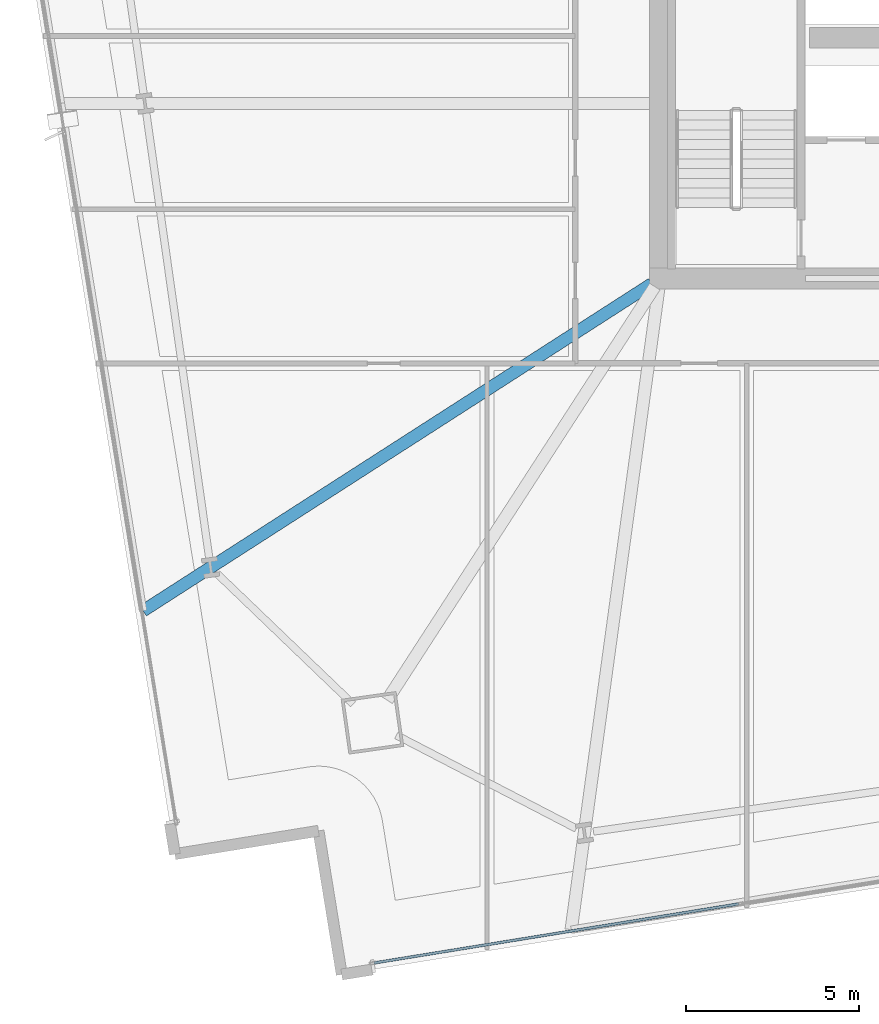
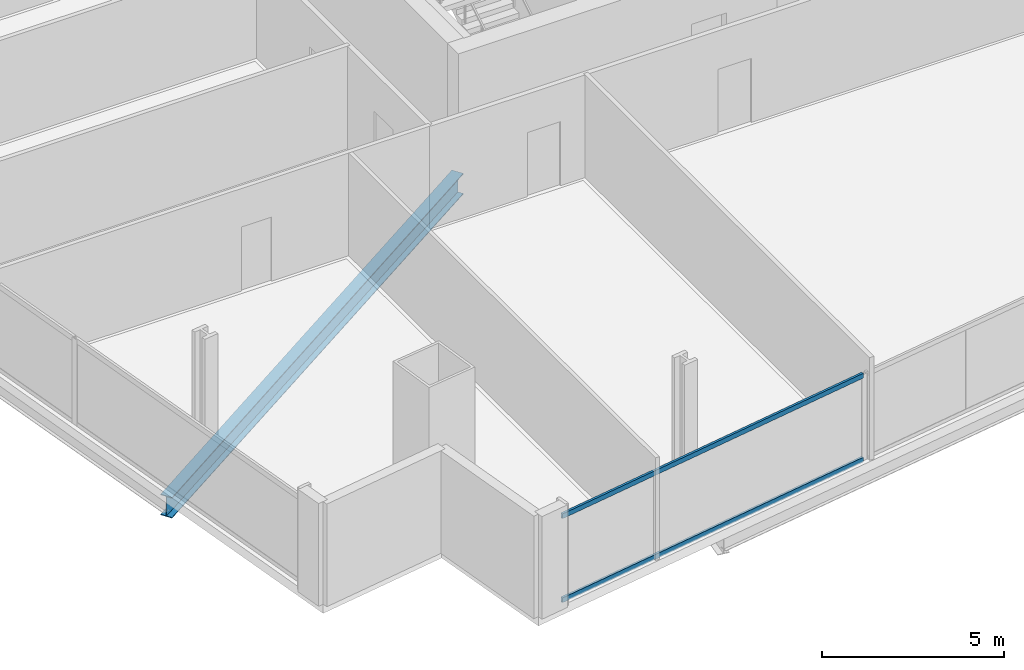
# One storey, part 4 of 33: 2 members, 1 beam, 1 element without a shape of its own.
"""IFC4 building model written with IfcOpenShell, lengths in metres."""

import ifcopenshell
import ifcopenshell.guid

model = None  # the IFC model being written
_history = None  # IfcOwnerHistory: only IFC2X3 demands one
_inside = {}  # id of a spatial element -> (the spatial element, [elements in it])
_under = {}  # id of a project, library or spatial element -> (it, [spatial elements below it])
_declared = {}  # id of a project -> (the project, [libraries it declares])
_typed = {}  # id of a type object -> (the type object, [elements of that type])
_made_of = {}  # id of a material, layer set ... -> (it, [elements and type objects made of it])


def new_model(schema):
    """Start an empty IFC model of exactly this schema.

    Asked for "IFC4X3", IfcOpenShell would pick the latest addendum, in which some entities
    have other attributes; the version numbers below select the first issue.
    IFC2X3 requires an IfcOwnerHistory on every rooted entity: one is made here for all.
    """
    global model, _history
    if schema == "IFC4X3":
        model = ifcopenshell.file(schema_version=(4, 3, 0, 0))
    else:
        model = ifcopenshell.file(schema=schema)
    _inside.clear()
    _under.clear()
    _declared.clear()
    _typed.clear()
    _made_of.clear()
    _history = None
    if model.schema == "IFC2X3":
        org = make("IfcOrganization", Name="unknown")
        user = make(
            "IfcPersonAndOrganization",
            ThePerson=make("IfcPerson", FamilyName="unknown"),
            TheOrganization=org,
        )
        app = make(
            "IfcApplication",
            ApplicationDeveloper=org,
            Version="unknown",
            ApplicationFullName="unknown",
            ApplicationIdentifier="unknown",
        )
        _history = make(
            "IfcOwnerHistory",
            OwningUser=user,
            OwningApplication=app,
            ChangeAction="ADDED",
            CreationDate=0,
        )
    return model


def make(cls, **values):
    """One entity of the class cls with the attributes given. An attribute that is None is left unset."""
    return model.create_entity(
        cls, **{name: value for name, value in values.items() if value is not None}
    )


def rooted(cls, **values):
    """An entity with a GlobalId (a new one), such as an element, a storey or a relation."""
    return make(cls, GlobalId=ifcopenshell.guid.new(), OwnerHistory=_history, **values)


def si_unit(unit_type, name, prefix=None):
    """IfcSIUnit, for example si_unit("LENGTHUNIT", "METRE", prefix="MILLI")."""
    return make("IfcSIUnit", UnitType=unit_type, Prefix=prefix, Name=name)


def assignment(units):
    """IfcUnitAssignment: the units of a project."""
    return None if units is None else make("IfcUnitAssignment", Units=units)


def point(xyz):
    """IfcCartesianPoint."""
    return None if xyz is None else make("IfcCartesianPoint", Coordinates=xyz)


def direction(xyz):
    """IfcDirection."""
    return None if xyz is None else make("IfcDirection", DirectionRatios=xyz)


def frame(location, z_axis=None, x_axis=None):
    """IfcAxis2Placement3D, a coordinate frame: its origin and axes. An axis left out is left unset."""
    return make(
        "IfcAxis2Placement3D",
        Location=point(location),
        Axis=direction(z_axis),
        RefDirection=direction(x_axis),
    )


def frame_2d(location, x_axis=None):
    """IfcAxis2Placement2D, a coordinate frame in the plane: its origin and x axis."""
    return make(
        "IfcAxis2Placement2D", Location=point(location), RefDirection=direction(x_axis)
    )


def origin():
    """The frame at (0, 0, 0) with its axes left unset."""
    return frame((0.0, 0.0, 0.0))


def origin_2d():
    """The frame at (0, 0) in the plane with its x axis left unset."""
    return frame_2d((0.0, 0.0))


def place(relative_to, where):
    """IfcLocalPlacement: puts the frame where relative to a parent placement (None: the world)."""
    return make(
        "IfcLocalPlacement", PlacementRelTo=relative_to, RelativePlacement=where
    )


def context(
    kind, dimensions, precision=None, world=None, true_north=None, identifier=None
):
    """IfcGeometricRepresentationContext, for example the 3D "Model" context."""
    return make(
        "IfcGeometricRepresentationContext",
        ContextIdentifier=identifier,
        ContextType=kind,
        CoordinateSpaceDimension=dimensions,
        Precision=precision,
        WorldCoordinateSystem=world,
        TrueNorth=true_north,
    )


def subcontext(parent, identifier, kind, view, scale=None):
    """IfcGeometricRepresentationSubContext, for example "Body" below "Model"."""
    return make(
        "IfcGeometricRepresentationSubContext",
        ContextIdentifier=identifier,
        ContextType=kind,
        ParentContext=parent,
        TargetScale=scale,
        TargetView=view,
    )


def project(units=None, contexts=None):
    """IfcProject with its units and contexts."""
    return rooted(
        "IfcProject",
        Name="project",
        RepresentationContexts=contexts,
        UnitsInContext=assignment(units),
    )


def spatial(cls, under=None, at=None, **own):
    """A site, building, storey or space (cls), placed at a placement, below another one or the project."""
    s = rooted(cls, ObjectPlacement=at, **own)
    if under is not None:
        _under.setdefault(under.id(), (under, []))[1].append(s)
    return s


def profile(cls, at=None, kind="AREA", **sizes):
    """A parametric profile (cls). Its sizes go by their IFC names, for example OverallWidth=200.0."""
    return make(cls, ProfileType=kind, Position=at, **sizes)


def hollow_rectangle(**sizes):
    """IfcRectangleHollowProfileDef."""
    return profile("IfcRectangleHollowProfileDef", **sizes)


def i_section(**sizes):
    """IfcIShapeProfileDef."""
    return profile("IfcIShapeProfileDef", **sizes)


def extrude(swept, where, along, depth):
    """IfcExtrudedAreaSolid: the profile swept, set in the frame where, extruded along a direction by depth."""
    return make(
        "IfcExtrudedAreaSolid",
        SweptArea=swept,
        Position=where,
        ExtrudedDirection=direction(along),
        Depth=depth,
    )


def shape(context_of_items, identifier, shape_type, items):
    """IfcShapeRepresentation: the items that make up one representation, for example the "Body"."""
    return make(
        "IfcShapeRepresentation",
        ContextOfItems=context_of_items,
        RepresentationIdentifier=identifier,
        RepresentationType=shape_type,
        Items=items,
    )


def material(Name=None, Category=None):
    """IfcMaterial."""
    return make("IfcMaterial", Name=Name, Category=Category)


def material_profile(
    of_material, cross_section, Name=None, Category=None, Priority=None
):
    """IfcMaterialProfile: a cross section and its material."""
    return make(
        "IfcMaterialProfile",
        Name=Name,
        Material=of_material,
        Profile=cross_section,
        Priority=Priority,
        Category=Category,
    )


def profile_set(profiles, Name=None, composite=None):
    """IfcMaterialProfileSet."""
    return make(
        "IfcMaterialProfileSet",
        Name=Name,
        MaterialProfiles=profiles,
        CompositeProfile=composite,
    )


def made_of(thing, what):
    """Note that an element or type object is made of a material, layer set ...; save() writes the relation."""
    if what is not None:
        _made_of.setdefault(what.id(), (what, []))[1].append(thing)
    return thing


def type_object(cls, material=None, **own):
    """A type object (cls), such as IfcWallType, which elements share."""
    return made_of(rooted(cls, **own), material)


def element(
    cls,
    number,
    at=None,
    inside=None,
    cuts=None,
    type_object=None,
    material=None,
    context=None,
    identifier="Body",
    shape_type=None,
    held_by="IfcProductDefinitionShape",
    body=None,
    shapes=None,
    **own,
):
    """One element of the class cls, such as IfcWall. Its Tag is "e" and its number.

    at: its placement. inside: the storey or other place that contains it. cuts: it is an
    opening in that element (IfcRelVoidsElement). A single representation is given by context,
    identifier, shape_type and body (its items); several are given by shapes. held_by: the class
    of the entity that holds the representations. save() writes the other relations.
    """
    e = rooted(cls, Tag="e%d" % number, ObjectPlacement=at, **own)
    if body is not None:
        shapes = [shape(context, identifier, shape_type, body)]
    if shapes is not None:
        e.Representation = make(held_by, Representations=shapes)
    if inside is not None:
        _inside.setdefault(inside.id(), (inside, []))[1].append(e)
    if cuts is not None:
        rooted(
            "IfcRelVoidsElement", RelatingBuildingElement=cuts, RelatedOpeningElement=e
        )
    if type_object is not None:
        _typed.setdefault(type_object.id(), (type_object, []))[1].append(e)
    return made_of(e, material)


def aggregate(whole, parts):
    """IfcRelAggregates: a whole, such as a stair, and the parts it consists of."""
    return rooted("IfcRelAggregates", RelatingObject=whole, RelatedObjects=parts)


def save(model, path):
    """Write the relations noted so far, then the file.

    IfcRelAggregates (storeys below a building ...), IfcRelContainedInSpatialStructure (elements
    in a storey), IfcRelDefinesByType, IfcRelAssociatesMaterial and IfcRelDeclares: one each for
    every whole, place, type object, material and project.
    """
    for whole, parts in _under.values():
        aggregate(whole, parts)
    for where, things in _inside.values():
        rooted(
            "IfcRelContainedInSpatialStructure",
            RelatedElements=things,
            RelatingStructure=where,
        )
    for kind, things in _typed.values():
        rooted("IfcRelDefinesByType", RelatedObjects=things, RelatingType=kind)
    for what, things in _made_of.values():
        rooted("IfcRelAssociatesMaterial", RelatedObjects=things, RelatingMaterial=what)
    for by, libraries in _declared.values():
        rooted("IfcRelDeclares", RelatingContext=by, RelatedDefinitions=libraries)
    model.write(path)


model = new_model("IFC4")

# Units and contexts
model_context = context("Model", 3, precision=1e-05, world=origin(), true_north=direction((0.0, 1.0)))
body_context = subcontext(model_context, "Body", "Model", "MODEL_VIEW")
ifc_project = project(units=[si_unit("LENGTHUNIT", "METRE"), si_unit("AREAUNIT", "SQUARE_METRE"), si_unit("VOLUMEUNIT", "CUBIC_METRE"), si_unit("PLANEANGLEUNIT", "RADIAN"), si_unit("MASSUNIT", "GRAM", prefix="KILO")], contexts=[model_context])

# Site, building, storey
site_placement = place(None, origin())
site = spatial("IfcSite", under=ifc_project, at=site_placement, CompositionType="ELEMENT")
building_placement = place(site_placement, origin())
building = spatial("IfcBuilding", under=site, at=building_placement, Name="Haldenkirk Collegiate Tower", CompositionType="ELEMENT")
storey_placement = place(building_placement, frame((0.0, 0.0, 58.949951171875)))
storey = spatial("IfcBuildingStorey", under=building, at=storey_placement, Name="L13", CompositionType="ELEMENT", Elevation=58.949951171875)

# Beam
ifc_material_1 = material(Name="Steel ASTM A992 Grade 50", Category="steel")
ifc_material_profile_1 = material_profile(ifc_material_1, i_section(OverallWidth=0.35498046875, OverallDepth=0.696044921875, WebThickness=0.015380859375, FlangeThickness=0.02490234375, at=origin_2d()), Name="W27X146")
ifc_profile_set_1 = profile_set([ifc_material_profile_1], Name="Steel ASTM A992 Grade 50")
beam_type = type_object("IfcBeamType", Name="BM-GIRDER-W27X146", PredefinedType="BEAM", material=ifc_profile_set_1)
beam_placement = place(storey_placement, frame((12.0751953125, 8.40576171875, -0.657958984375), z_axis=(0.841183472093, 0.540749818565, 0.0), x_axis=(-0.540749818565, 0.841183472093, 0.0)))
element("IfcBeam", 1, at=beam_placement, inside=storey, type_object=beam_type, Name="L13 primary floor girder 16", PredefinedType="BEAM", context=body_context, shape_type="SweptSolid", body=[
    extrude(i_section(OverallWidth=0.35498046875, OverallDepth=0.696044921875, WebThickness=0.015380859375, FlangeThickness=0.02490234375, at=origin_2d()), origin(), (0.0, 0.0, 1.0), 17.462646484375),
])

# Curtain wall, members
ifc_material_2 = material(Name="Anodised architectural bronze aluminium", Category="aluminium")
curtain_wall_type = type_object("IfcCurtainWallType", Name="CW-SYS2-CONCAVE", PredefinedType="USERDEFINED", material=ifc_material_2)
curtain_wall_placement = place(storey_placement, origin())
curtain_wall = element("IfcCurtainWall", 2, at=curtain_wall_placement, inside=storey, type_object=curtain_wall_type, Name="L13 South concave recessed bronze-anodised curtain wall", ObjectType="UNITISED CURTAIN WALL", PredefinedType="USERDEFINED")
ifc_material_profile_2 = material_profile(ifc_material_2, hollow_rectangle(XDim=0.074951171875, YDim=0.159912109375, WallThickness=0.0048828125, at=origin_2d()), Name="CW-TRN-02")
ifc_profile_set_2 = profile_set([ifc_material_profile_2], Name="Anodised architectural bronze aluminium")
member_type = type_object("IfcMemberType", Name="CW-TRN-02", PredefinedType="USERDEFINED", material=ifc_profile_set_2)
member_1_placement = place(storey_placement, frame((29.266845703125, -0.056640625, 0.03759765625), z_axis=(-0.98713489306, -0.159889658523, 0.0), x_axis=(0.159889658523, -0.98713489306, 0.0)))
member_1 = element("IfcMember", 3, at=member_1_placement, type_object=member_type, Name="CW-02 transom 4.1", ObjectType="TRANSOM", PredefinedType="USERDEFINED", context=body_context, shape_type="SweptSolid", body=[
    extrude(hollow_rectangle(XDim=0.074951171875, YDim=0.159912109375, WallThickness=0.0048828125, at=origin_2d()), origin(), (0.0, 0.0, 1.0), 10.66259765625),
])
member_2_placement = place(storey_placement, frame((29.266845703125, -0.056640625, 2.853515625), z_axis=(-0.98713489306, -0.159889658523, 0.0), x_axis=(0.159889658523, -0.98713489306, 0.0)))
member_2 = element("IfcMember", 4, at=member_2_placement, type_object=member_type, Name="CW-02 transom 4.2", ObjectType="TRANSOM", PredefinedType="USERDEFINED", context=body_context, shape_type="SweptSolid", body=[
    extrude(hollow_rectangle(XDim=0.074951171875, YDim=0.159912109375, WallThickness=0.0048828125, at=origin_2d()), origin(), (0.0, 0.0, 1.0), 10.66259765625),
])
aggregate(curtain_wall, [member_1, member_2])

save(model, "model.ifc")
